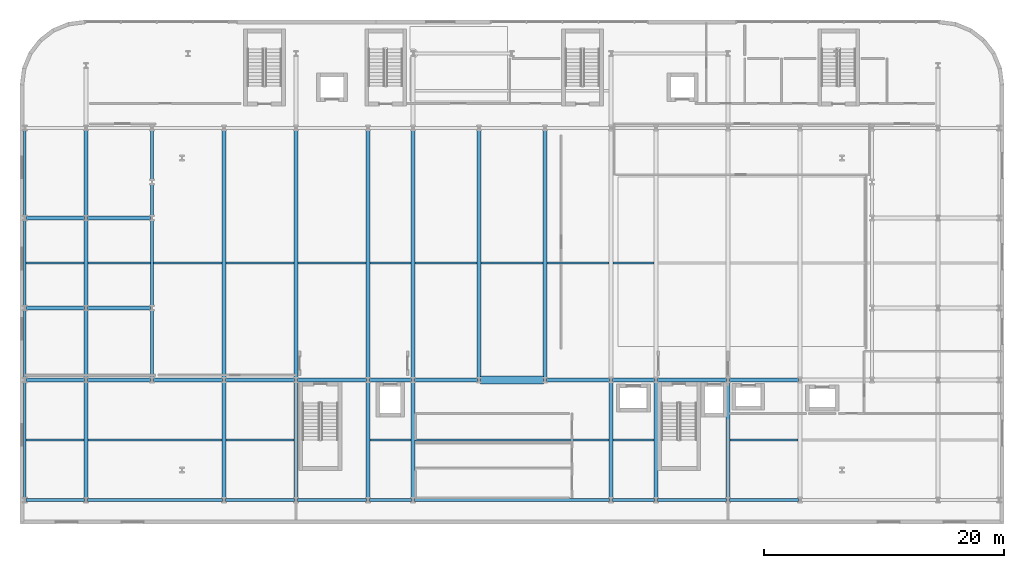
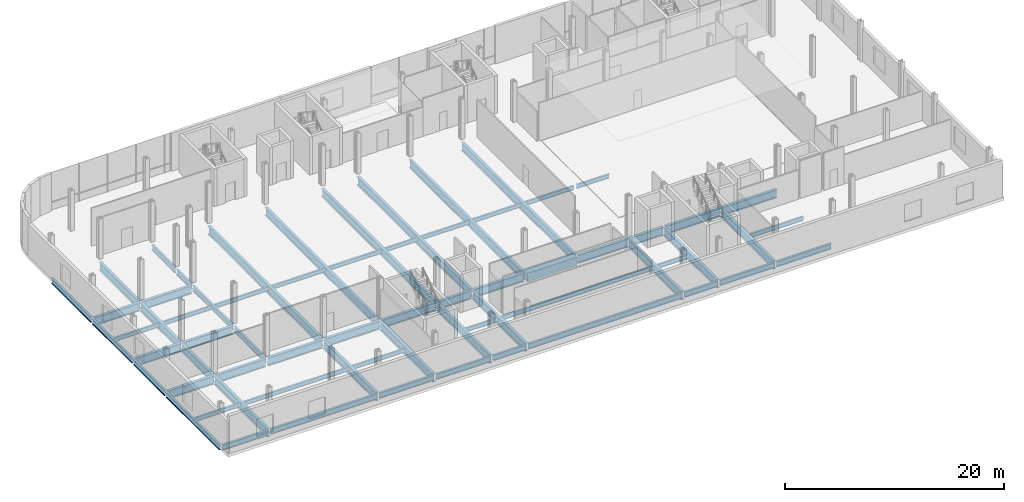
# One storey, part 3 of 25: 67 beams.
"""IFC4 building model written with IfcOpenShell, lengths in metres."""

from ifc_helpers import new_model, si_unit, direction, frame, origin, origin_2d, place, context, subcontext, project, spatial, rectangle, i_section, extrude, material, material_profile, profile_set, type_object, element, save


model = new_model("IFC4")

# Units and contexts
model_context = context("Model", 3, precision=1e-05, world=origin(), true_north=direction((0.0, 1.0)))
body_context = subcontext(model_context, "Body", "Model", "MODEL_VIEW")
ifc_project = project(units=[si_unit("LENGTHUNIT", "METRE"), si_unit("AREAUNIT", "SQUARE_METRE"), si_unit("VOLUMEUNIT", "CUBIC_METRE"), si_unit("PLANEANGLEUNIT", "RADIAN"), si_unit("MASSUNIT", "GRAM", prefix="KILO")], contexts=[model_context])

# Site, building, storey
site_placement = place(None, origin())
site = spatial("IfcSite", under=ifc_project, at=site_placement, CompositionType="ELEMENT")
building_placement = place(site_placement, origin())
building = spatial("IfcBuilding", under=site, at=building_placement, Name="Brevholm Reach", CompositionType="ELEMENT")
storey_placement = place(building_placement, frame((0.0, 0.0, 4.5)))
storey = spatial("IfcBuildingStorey", under=building, at=storey_placement, Name="L01", CompositionType="ELEMENT", Elevation=4.5)

# Beams
ifc_material_1 = material(Name="Structural Steel S355J2", Category="steel")
ifc_material_profile_1 = material_profile(ifc_material_1, i_section(OverallWidth=0.1904296875, OverallDepth=0.45703125, WebThickness=0.009033203125, FlangeThickness=0.014404296875, FilletRadius=0.01025390625, at=origin_2d()), Name="UKB 457x191x74")
ifc_profile_set_1 = profile_set([ifc_material_profile_1], Name="Structural Steel S355J2")
beam_type_1 = type_object("IfcBeamType", Name="BM-B457", PredefinedType="BEAM", material=ifc_profile_set_1)
beam_1_placement = place(storey_placement, frame((-10.485595703125, 5.0, -0.548583984375), z_axis=(1.0, 0.0, 0.0), x_axis=(0.0, 1.0, 0.0)))
element("IfcBeam", 1, at=beam_1_placement, inside=storey, type_object=beam_type_1, Name="L01 Composite Secondary Floor Beam", PredefinedType="BEAM", context=body_context, shape_type="SweptSolid", body=[
    extrude(i_section(OverallWidth=0.1904296875, OverallDepth=0.45703125, WebThickness=0.009033203125, FlangeThickness=0.014404296875, FilletRadius=0.01025390625, at=origin_2d()), origin(), (0.0, 0.0, 1.0), 4.831787109375),
])
beam_2_placement = place(storey_placement, frame((-5.34619140625, 5.0, -0.548583984375), z_axis=(1.0, 0.0, 0.0), x_axis=(0.0, 1.0, 0.0)))
element("IfcBeam", 2, at=beam_2_placement, inside=storey, type_object=beam_type_1, Name="L01 Composite Secondary Floor Beam", PredefinedType="BEAM", context=body_context, shape_type="SweptSolid", body=[
    extrude(i_section(OverallWidth=0.1904296875, OverallDepth=0.45703125, WebThickness=0.009033203125, FlangeThickness=0.014404296875, FilletRadius=0.01025390625, at=origin_2d()), origin(), (0.0, 0.0, 1.0), 11.1923828125),
])
beam_3_placement = place(storey_placement, frame((6.15380859375, 5.0, -0.548583984375), z_axis=(1.0, 0.0, 0.0), x_axis=(0.0, 1.0, 0.0)))
element("IfcBeam", 3, at=beam_3_placement, inside=storey, type_object=beam_type_1, Name="L01 Composite Secondary Floor Beam", PredefinedType="BEAM", context=body_context, shape_type="SweptSolid", body=[
    extrude(i_section(OverallWidth=0.1904296875, OverallDepth=0.45703125, WebThickness=0.009033203125, FlangeThickness=0.014404296875, FilletRadius=0.01025390625, at=origin_2d()), origin(), (0.0, 0.0, 1.0), 5.6923828125),
])
beam_4_placement = place(storey_placement, frame((18.15380859375, 5.0, -0.548583984375), z_axis=(1.0, 0.0, 0.0), x_axis=(0.0, 1.0, 0.0)))
element("IfcBeam", 4, at=beam_4_placement, inside=storey, type_object=beam_type_1, Name="L01 Composite Secondary Floor Beam", PredefinedType="BEAM", context=body_context, shape_type="SweptSolid", body=[
    extrude(i_section(OverallWidth=0.1904296875, OverallDepth=0.45703125, WebThickness=0.009033203125, FlangeThickness=0.014404296875, FilletRadius=0.01025390625, at=origin_2d()), origin(), (0.0, 0.0, 1.0), 3.4423828125),
])
beam_5_placement = place(storey_placement, frame((21.90380859375, 5.0, -0.548583984375), z_axis=(1.0, 0.0, 0.0), x_axis=(0.0, 1.0, 0.0)))
element("IfcBeam", 5, at=beam_5_placement, inside=storey, type_object=beam_type_1, Name="L01 Composite Secondary Floor Beam", PredefinedType="BEAM", context=body_context, shape_type="SweptSolid", body=[
    extrude(i_section(OverallWidth=0.1904296875, OverallDepth=0.45703125, WebThickness=0.009033203125, FlangeThickness=0.014404296875, FilletRadius=0.01025390625, at=origin_2d()), origin(), (0.0, 0.0, 1.0), 16.1923828125),
])
beam_6_placement = place(storey_placement, frame((38.40380859375, 5.0, -0.548583984375), z_axis=(1.0, 0.0, 0.0), x_axis=(0.0, 1.0, 0.0)))
element("IfcBeam", 6, at=beam_6_placement, inside=storey, type_object=beam_type_1, Name="L01 Composite Secondary Floor Beam", PredefinedType="BEAM", context=body_context, shape_type="SweptSolid", body=[
    extrude(i_section(OverallWidth=0.1904296875, OverallDepth=0.45703125, WebThickness=0.009033203125, FlangeThickness=0.014404296875, FilletRadius=0.01025390625, at=origin_2d()), origin(), (0.0, 0.0, 1.0), 3.4423828125),
])
beam_7_placement = place(storey_placement, frame((48.15380859375, 5.0, -0.548583984375), z_axis=(1.0, 0.0, 0.0), x_axis=(0.0, 1.0, 0.0)))
element("IfcBeam", 7, at=beam_7_placement, inside=storey, type_object=beam_type_1, Name="L01 Composite Secondary Floor Beam", PredefinedType="BEAM", context=body_context, shape_type="SweptSolid", body=[
    extrude(i_section(OverallWidth=0.1904296875, OverallDepth=0.45703125, WebThickness=0.009033203125, FlangeThickness=0.014404296875, FilletRadius=0.01025390625, at=origin_2d()), origin(), (0.0, 0.0, 1.0), 5.6923828125),
])
beam_8_placement = place(storey_placement, frame((-10.485595703125, 19.75, -0.548583984375), z_axis=(1.0, 0.0, 0.0), x_axis=(0.0, 1.0, 0.0)))
element("IfcBeam", 8, at=beam_8_placement, inside=storey, type_object=beam_type_1, Name="L01 Composite Secondary Floor Beam", PredefinedType="BEAM", context=body_context, shape_type="SweptSolid", body=[
    extrude(i_section(OverallWidth=0.1904296875, OverallDepth=0.45703125, WebThickness=0.009033203125, FlangeThickness=0.014404296875, FilletRadius=0.01025390625, at=origin_2d()), origin(), (0.0, 0.0, 1.0), 4.831787109375),
])
beam_9_placement = place(storey_placement, frame((-5.34619140625, 19.75, -0.548583984375), z_axis=(1.0, 0.0, 0.0), x_axis=(0.0, 1.0, 0.0)))
element("IfcBeam", 9, at=beam_9_placement, inside=storey, type_object=beam_type_1, Name="L01 Composite Secondary Floor Beam", PredefinedType="BEAM", context=body_context, shape_type="SweptSolid", body=[
    extrude(i_section(OverallWidth=0.1904296875, OverallDepth=0.45703125, WebThickness=0.009033203125, FlangeThickness=0.014404296875, FilletRadius=0.01025390625, at=origin_2d()), origin(), (0.0, 0.0, 1.0), 5.231689453125),
])
beam_10_placement = place(storey_placement, frame((0.114501953125, 19.75, -0.548583984375), z_axis=(1.0, 0.0, 0.0), x_axis=(0.0, 1.0, 0.0)))
element("IfcBeam", 10, at=beam_10_placement, inside=storey, type_object=beam_type_1, Name="L01 Composite Secondary Floor Beam", PredefinedType="BEAM", context=body_context, shape_type="SweptSolid", body=[
    extrude(i_section(OverallWidth=0.1904296875, OverallDepth=0.45703125, WebThickness=0.009033203125, FlangeThickness=0.014404296875, FilletRadius=0.01025390625, at=origin_2d()), origin(), (0.0, 0.0, 1.0), 5.731689453125),
])
for number, where, z_axis, x_axis, name in (
    (11, (6.15380859375, 19.75, -0.548583984375), (1.0, 0.0, 0.0), (0.0, 1.0, 0.0), "L01 Composite Secondary Floor Beam"),
    (12, (12.15380859375, 19.75, -0.548583984375), (1.0, 0.0, 0.0), (0.0, 1.0, 0.0), "L01 Composite Secondary Floor Beam"),
):
    element("IfcBeam", number, at=place(storey_placement, frame(where, z_axis=z_axis, x_axis=x_axis)), inside=storey, type_object=beam_type_1, Name=name, PredefinedType="BEAM", context=body_context, shape_type="SweptSolid", body=[
        extrude(i_section(OverallWidth=0.1904296875, OverallDepth=0.45703125, WebThickness=0.009033203125, FlangeThickness=0.014404296875, FilletRadius=0.01025390625, at=origin_2d()), origin(), (0.0, 0.0, 1.0), 5.6923828125),
    ])
beam_11_placement = place(storey_placement, frame((18.15380859375, 19.75, -0.548583984375), z_axis=(1.0, 0.0, 0.0), x_axis=(0.0, 1.0, 0.0)))
element("IfcBeam", 13, at=beam_11_placement, inside=storey, type_object=beam_type_1, Name="L01 Composite Secondary Floor Beam", PredefinedType="BEAM", context=body_context, shape_type="SweptSolid", body=[
    extrude(i_section(OverallWidth=0.1904296875, OverallDepth=0.45703125, WebThickness=0.009033203125, FlangeThickness=0.014404296875, FilletRadius=0.01025390625, at=origin_2d()), origin(), (0.0, 0.0, 1.0), 3.4423828125),
])
for number, where, z_axis, x_axis, name in (
    (14, (21.90380859375, 19.75, -0.548583984375), (1.0, 0.0, 0.0), (0.0, 1.0, 0.0), "L01 Composite Secondary Floor Beam"),
    (15, (27.40380859375, 19.75, -0.548583984375), (1.0, 0.0, 0.0), (0.0, 1.0, 0.0), "L01 Composite Secondary Floor Beam"),
    (16, (32.90380859375, 19.75, -0.548583984375), (1.0, 0.0, 0.0), (0.0, 1.0, 0.0), "L01 Composite Secondary Floor Beam"),
):
    element("IfcBeam", number, at=place(storey_placement, frame(where, z_axis=z_axis, x_axis=x_axis)), inside=storey, type_object=beam_type_1, Name=name, PredefinedType="BEAM", context=body_context, shape_type="SweptSolid", body=[
        extrude(i_section(OverallWidth=0.1904296875, OverallDepth=0.45703125, WebThickness=0.009033203125, FlangeThickness=0.014404296875, FilletRadius=0.01025390625, at=origin_2d()), origin(), (0.0, 0.0, 1.0), 5.1923828125),
    ])
beam_12_placement = place(storey_placement, frame((38.40380859375, 19.75, -0.548583984375), z_axis=(1.0, 0.0, 0.0), x_axis=(0.0, 1.0, 0.0)))
element("IfcBeam", 17, at=beam_12_placement, inside=storey, type_object=beam_type_1, Name="L01 Composite Secondary Floor Beam", PredefinedType="BEAM", context=body_context, shape_type="SweptSolid", body=[
    extrude(i_section(OverallWidth=0.1904296875, OverallDepth=0.45703125, WebThickness=0.009033203125, FlangeThickness=0.014404296875, FilletRadius=0.01025390625, at=origin_2d()), origin(), (0.0, 0.0, 1.0), 3.4423828125),
])
ifc_material_2 = material(Name="Concrete C60/75", Category="concrete")
ifc_material_profile_2 = material_profile(ifc_material_2, rectangle(XDim=0.64990234375, YDim=0.949951171875, at=origin_2d()), Name="RC 650x950")
ifc_profile_set_2 = profile_set([ifc_material_profile_2], Name="Concrete C60/75")
beam_type_2 = type_object("IfcBeamType", Name="BM-CB650", PredefinedType="LINTEL", material=ifc_profile_set_2)
beam_13_placement = place(storey_placement, frame((27.3701171875, 10.0, -0.794921875), z_axis=(1.0, 0.0, 0.0), x_axis=(0.0, 1.0, 0.0)))
element("IfcBeam", 18, at=beam_13_placement, inside=storey, type_object=beam_type_2, Name="L01 CB-01 Framing Beam", PredefinedType="LINTEL", context=body_context, shape_type="SweptSolid", body=[
    extrude(rectangle(XDim=0.64990234375, YDim=0.949951171875, at=origin_2d()), origin(), (0.0, 0.0, 1.0), 5.259765625),
])
ifc_material_3 = material(Name="Structural Steel S355J2", Category="steel")
ifc_material_profile_3 = material_profile(ifc_material_3, i_section(OverallWidth=0.22900390625, OverallDepth=0.6123046875, WebThickness=0.011962890625, FlangeThickness=0.01953125, FilletRadius=0.0126953125, at=origin_2d()), Name="UKB 610x229x125")
ifc_profile_set_3 = profile_set([ifc_material_profile_3], Name="Structural Steel S355J2")
beam_type_3 = type_object("IfcBeamType", Name="BM-SP610", PredefinedType="SPANDREL", material=ifc_profile_set_3)
beam_14_placement = place(storey_placement, frame((-10.47998046875, 0.0, -0.626220703125), z_axis=(1.0, 0.0, 0.0), x_axis=(0.0, 1.0, 0.0)))
element("IfcBeam", 19, at=beam_14_placement, inside=storey, type_object=beam_type_3, Name="L01 SP-01 Framing Beam", PredefinedType="SPANDREL", context=body_context, shape_type="SweptSolid", body=[
    extrude(i_section(OverallWidth=0.22900390625, OverallDepth=0.6123046875, WebThickness=0.011962890625, FlangeThickness=0.01953125, FilletRadius=0.0126953125, at=origin_2d()), origin(), (0.0, 0.0, 1.0), 4.85986328125),
])
beam_15_placement = place(storey_placement, frame((-5.3798828125, 0.0, -0.626220703125), z_axis=(1.0, 0.0, 0.0), x_axis=(0.0, 1.0, 0.0)))
element("IfcBeam", 20, at=beam_15_placement, inside=storey, type_object=beam_type_3, Name="L01 SP-01 Framing Beam", PredefinedType="SPANDREL", context=body_context, shape_type="SweptSolid", body=[
    extrude(i_section(OverallWidth=0.22900390625, OverallDepth=0.6123046875, WebThickness=0.011962890625, FlangeThickness=0.01953125, FilletRadius=0.0126953125, at=origin_2d()), origin(), (0.0, 0.0, 1.0), 11.259765625),
])
for number, where, z_axis, x_axis, name in (
    (21, (6.1201171875, 0.0, -0.626220703125), (1.0, 0.0, 0.0), (0.0, 1.0, 0.0), "L01 SP-01 Framing Beam"),
    (22, (12.1201171875, 0.0, -0.626220703125), (1.0, 0.0, 0.0), (0.0, 1.0, 0.0), "L01 SP-01 Framing Beam"),
):
    element("IfcBeam", number, at=place(storey_placement, frame(where, z_axis=z_axis, x_axis=x_axis)), inside=storey, type_object=beam_type_3, Name=name, PredefinedType="SPANDREL", context=body_context, shape_type="SweptSolid", body=[
        extrude(i_section(OverallWidth=0.22900390625, OverallDepth=0.6123046875, WebThickness=0.011962890625, FlangeThickness=0.01953125, FilletRadius=0.0126953125, at=origin_2d()), origin(), (0.0, 0.0, 1.0), 5.759765625),
    ])
beam_16_placement = place(storey_placement, frame((18.1201171875, 0.0, -0.626220703125), z_axis=(1.0, 0.0, 0.0), x_axis=(0.0, 1.0, 0.0)))
element("IfcBeam", 23, at=beam_16_placement, inside=storey, type_object=beam_type_3, Name="L01 SP-01 Framing Beam", PredefinedType="SPANDREL", context=body_context, shape_type="SweptSolid", body=[
    extrude(i_section(OverallWidth=0.22900390625, OverallDepth=0.6123046875, WebThickness=0.011962890625, FlangeThickness=0.01953125, FilletRadius=0.0126953125, at=origin_2d()), origin(), (0.0, 0.0, 1.0), 3.509765625),
])
beam_17_placement = place(storey_placement, frame((21.8701171875, 0.0, -0.626220703125), z_axis=(1.0, 0.0, 0.0), x_axis=(0.0, 1.0, 0.0)))
element("IfcBeam", 24, at=beam_17_placement, inside=storey, type_object=beam_type_3, Name="L01 SP-01 Framing Beam", PredefinedType="SPANDREL", context=body_context, shape_type="SweptSolid", body=[
    extrude(i_section(OverallWidth=0.22900390625, OverallDepth=0.6123046875, WebThickness=0.011962890625, FlangeThickness=0.01953125, FilletRadius=0.0126953125, at=origin_2d()), origin(), (0.0, 0.0, 1.0), 16.259765625),
])
beam_18_placement = place(storey_placement, frame((38.3701171875, 0.0, -0.626220703125), z_axis=(1.0, 0.0, 0.0), x_axis=(0.0, 1.0, 0.0)))
element("IfcBeam", 25, at=beam_18_placement, inside=storey, type_object=beam_type_3, Name="L01 SP-01 Framing Beam", PredefinedType="SPANDREL", context=body_context, shape_type="SweptSolid", body=[
    extrude(i_section(OverallWidth=0.22900390625, OverallDepth=0.6123046875, WebThickness=0.011962890625, FlangeThickness=0.01953125, FilletRadius=0.0126953125, at=origin_2d()), origin(), (0.0, 0.0, 1.0), 3.509765625),
])
for number, where, z_axis, x_axis, name in (
    (26, (42.1201171875, 0.0, -0.626220703125), (1.0, 0.0, 0.0), (0.0, 1.0, 0.0), "L01 SP-01 Framing Beam"),
    (27, (48.1201171875, 0.0, -0.626220703125), (1.0, 0.0, 0.0), (0.0, 1.0, 0.0), "L01 SP-01 Framing Beam"),
):
    element("IfcBeam", number, at=place(storey_placement, frame(where, z_axis=z_axis, x_axis=x_axis)), inside=storey, type_object=beam_type_3, Name=name, PredefinedType="SPANDREL", context=body_context, shape_type="SweptSolid", body=[
        extrude(i_section(OverallWidth=0.22900390625, OverallDepth=0.6123046875, WebThickness=0.011962890625, FlangeThickness=0.01953125, FilletRadius=0.0126953125, at=origin_2d()), origin(), (0.0, 0.0, 1.0), 5.759765625),
    ])
beam_19_placement = place(storey_placement, frame((-10.60009765625, 0.1201171875, -0.626220703125), z_axis=(0.0, 1.0, 0.0), x_axis=(-1.0, 0.0, 0.0)))
element("IfcBeam", 28, at=beam_19_placement, inside=storey, type_object=beam_type_3, Name="L01 SP-01 Framing Beam", PredefinedType="SPANDREL", context=body_context, shape_type="SweptSolid", body=[
    extrude(i_section(OverallWidth=0.22900390625, OverallDepth=0.6123046875, WebThickness=0.011962890625, FlangeThickness=0.01953125, FilletRadius=0.0126953125, at=origin_2d()), origin(), (0.0, 0.0, 1.0), 9.759765625),
])
beam_20_placement = place(storey_placement, frame((-10.60009765625, 10.1201171875, -0.626220703125), z_axis=(0.0, 1.0, 0.0), x_axis=(-1.0, 0.0, 0.0)))
element("IfcBeam", 29, at=beam_20_placement, inside=storey, type_object=beam_type_3, Name="L01 SP-01 Framing Beam", PredefinedType="SPANDREL", context=body_context, shape_type="SweptSolid", body=[
    extrude(i_section(OverallWidth=0.22900390625, OverallDepth=0.6123046875, WebThickness=0.011962890625, FlangeThickness=0.01953125, FilletRadius=0.0126953125, at=origin_2d()), origin(), (0.0, 0.0, 1.0), 5.759765625),
])
for number, where, z_axis, x_axis, name in (
    (30, (-10.60009765625, 16.1201171875, -0.626220703125), (0.0, 1.0, 0.0), (-1.0, 0.0, 0.0), "L01 SP-01 Framing Beam"),
    (31, (-10.60009765625, 23.6201171875, -0.626220703125), (0.0, 1.0, 0.0), (-1.0, 0.0, 0.0), "L01 SP-01 Framing Beam"),
):
    element("IfcBeam", number, at=place(storey_placement, frame(where, z_axis=z_axis, x_axis=x_axis)), inside=storey, type_object=beam_type_3, Name=name, PredefinedType="SPANDREL", context=body_context, shape_type="SweptSolid", body=[
        extrude(i_section(OverallWidth=0.22900390625, OverallDepth=0.6123046875, WebThickness=0.011962890625, FlangeThickness=0.01953125, FilletRadius=0.0126953125, at=origin_2d()), origin(), (0.0, 0.0, 1.0), 7.259765625),
    ])
beam_21_placement = place(storey_placement, frame((0.0, 10.1201171875, -0.626220703125), z_axis=(0.0, 1.0, 0.0), x_axis=(-1.0, 0.0, 0.0)))
element("IfcBeam", 32, at=beam_21_placement, inside=storey, type_object=beam_type_3, Name="L01 SP-01 Framing Beam", PredefinedType="SPANDREL", context=body_context, shape_type="SweptSolid", body=[
    extrude(i_section(OverallWidth=0.22900390625, OverallDepth=0.6123046875, WebThickness=0.011962890625, FlangeThickness=0.01953125, FilletRadius=0.0126953125, at=origin_2d()), origin(), (0.0, 0.0, 1.0), 5.759765625),
])
beam_22_placement = place(storey_placement, frame((0.0, 16.1201171875, -0.626220703125), z_axis=(0.0, 1.0, 0.0), x_axis=(-1.0, 0.0, 0.0)))
element("IfcBeam", 33, at=beam_22_placement, inside=storey, type_object=beam_type_3, Name="L01 SP-01 Framing Beam", PredefinedType="SPANDREL", context=body_context, shape_type="SweptSolid", body=[
    extrude(i_section(OverallWidth=0.22900390625, OverallDepth=0.6123046875, WebThickness=0.011962890625, FlangeThickness=0.01953125, FilletRadius=0.0126953125, at=origin_2d()), origin(), (0.0, 0.0, 1.0), 7.259765625),
])
beam_23_placement = place(storey_placement, frame((0.0, 23.6201171875, -0.626220703125), z_axis=(0.0, 1.0, 0.0), x_axis=(-1.0, 0.0, 0.0)))
element("IfcBeam", 34, at=beam_23_placement, inside=storey, type_object=beam_type_3, Name="L01 SP-01 Framing Beam", PredefinedType="SPANDREL", context=body_context, shape_type="SweptSolid", body=[
    extrude(i_section(OverallWidth=0.22900390625, OverallDepth=0.6123046875, WebThickness=0.011962890625, FlangeThickness=0.01953125, FilletRadius=0.0126953125, at=origin_2d()), origin(), (0.0, 0.0, 1.0), 2.759765625),
])
beam_24_placement = place(storey_placement, frame((0.0, 26.6201171875, -0.626220703125), z_axis=(0.0, 1.0, 0.0), x_axis=(-1.0, 0.0, 0.0)))
element("IfcBeam", 35, at=beam_24_placement, inside=storey, type_object=beam_type_3, Name="L01 SP-01 Framing Beam", PredefinedType="SPANDREL", context=body_context, shape_type="SweptSolid", body=[
    extrude(i_section(OverallWidth=0.22900390625, OverallDepth=0.6123046875, WebThickness=0.011962890625, FlangeThickness=0.01953125, FilletRadius=0.0126953125, at=origin_2d()), origin(), (0.0, 0.0, 1.0), 4.259765625),
])
ifc_material_4 = material(Name="Structural Steel S460ML", Category="steel")
ifc_material_profile_4 = material_profile(ifc_material_4, i_section(OverallWidth=0.3076171875, OverallDepth=0.926513671875, WebThickness=0.01953125, FlangeThickness=0.031982421875, FilletRadius=0.01904296875, at=origin_2d()), Name="UKB 914x305x289")
ifc_profile_set_4 = profile_set([ifc_material_profile_4], Name="Structural Steel S460ML")
beam_type_4 = type_object("IfcBeamType", Name="BM-UKB914B", PredefinedType="USERDEFINED", material=ifc_profile_set_4)
beam_25_placement = place(storey_placement, frame((-10.47998046875, 10.0, -0.783203125), z_axis=(1.0, 0.0, 0.0), x_axis=(0.0, 1.0, 0.0)))
element("IfcBeam", 36, at=beam_25_placement, inside=storey, type_object=beam_type_4, Name="L01 G-02B Framing Beam", ObjectType="GIRDER", PredefinedType="USERDEFINED", context=body_context, shape_type="SweptSolid", body=[
    extrude(i_section(OverallWidth=0.3076171875, OverallDepth=0.926513671875, WebThickness=0.01953125, FlangeThickness=0.031982421875, FilletRadius=0.01904296875, at=origin_2d()), origin(), (0.0, 0.0, 1.0), 4.85986328125),
])
beam_26_placement = place(storey_placement, frame((-5.3798828125, 10.0, -0.783203125), z_axis=(1.0, 0.0, 0.0), x_axis=(0.0, 1.0, 0.0)))
element("IfcBeam", 37, at=beam_26_placement, inside=storey, type_object=beam_type_4, Name="L01 G-02B Framing Beam", ObjectType="GIRDER", PredefinedType="USERDEFINED", context=body_context, shape_type="SweptSolid", body=[
    extrude(i_section(OverallWidth=0.3076171875, OverallDepth=0.926513671875, WebThickness=0.01953125, FlangeThickness=0.031982421875, FilletRadius=0.01904296875, at=origin_2d()), origin(), (0.0, 0.0, 1.0), 5.259765625),
])
for number, where, z_axis, x_axis, name in (
    (38, (0.1201171875, 10.0, -0.783203125), (1.0, 0.0, 0.0), (0.0, 1.0, 0.0), "L01 G-02B Framing Beam"),
    (39, (6.1201171875, 10.0, -0.783203125), (1.0, 0.0, 0.0), (0.0, 1.0, 0.0), "L01 G-02B Framing Beam"),
    (40, (12.1201171875, 10.0, -0.783203125), (1.0, 0.0, 0.0), (0.0, 1.0, 0.0), "L01 G-02B Framing Beam"),
):
    element("IfcBeam", number, at=place(storey_placement, frame(where, z_axis=z_axis, x_axis=x_axis)), inside=storey, type_object=beam_type_4, Name=name, ObjectType="GIRDER", PredefinedType="USERDEFINED", context=body_context, shape_type="SweptSolid", body=[
        extrude(i_section(OverallWidth=0.3076171875, OverallDepth=0.926513671875, WebThickness=0.01953125, FlangeThickness=0.031982421875, FilletRadius=0.01904296875, at=origin_2d()), origin(), (0.0, 0.0, 1.0), 5.759765625),
    ])
beam_27_placement = place(storey_placement, frame((18.1201171875, 10.0, -0.783203125), z_axis=(1.0, 0.0, 0.0), x_axis=(0.0, 1.0, 0.0)))
element("IfcBeam", 41, at=beam_27_placement, inside=storey, type_object=beam_type_4, Name="L01 G-02B Framing Beam", ObjectType="GIRDER", PredefinedType="USERDEFINED", context=body_context, shape_type="SweptSolid", body=[
    extrude(i_section(OverallWidth=0.3076171875, OverallDepth=0.926513671875, WebThickness=0.01953125, FlangeThickness=0.031982421875, FilletRadius=0.01904296875, at=origin_2d()), origin(), (0.0, 0.0, 1.0), 3.509765625),
])
for number, where, z_axis, x_axis, name in (
    (42, (21.8701171875, 10.0, -0.783203125), (1.0, 0.0, 0.0), (0.0, 1.0, 0.0), "L01 G-02B Framing Beam"),
    (43, (32.8701171875, 10.0, -0.783203125), (1.0, 0.0, 0.0), (0.0, 1.0, 0.0), "L01 G-02B Framing Beam"),
):
    element("IfcBeam", number, at=place(storey_placement, frame(where, z_axis=z_axis, x_axis=x_axis)), inside=storey, type_object=beam_type_4, Name=name, ObjectType="GIRDER", PredefinedType="USERDEFINED", context=body_context, shape_type="SweptSolid", body=[
        extrude(i_section(OverallWidth=0.3076171875, OverallDepth=0.926513671875, WebThickness=0.01953125, FlangeThickness=0.031982421875, FilletRadius=0.01904296875, at=origin_2d()), origin(), (0.0, 0.0, 1.0), 5.259765625),
    ])
beam_28_placement = place(storey_placement, frame((38.3701171875, 10.0, -0.783203125), z_axis=(1.0, 0.0, 0.0), x_axis=(0.0, 1.0, 0.0)))
element("IfcBeam", 44, at=beam_28_placement, inside=storey, type_object=beam_type_4, Name="L01 G-02B Framing Beam", ObjectType="GIRDER", PredefinedType="USERDEFINED", context=body_context, shape_type="SweptSolid", body=[
    extrude(i_section(OverallWidth=0.3076171875, OverallDepth=0.926513671875, WebThickness=0.01953125, FlangeThickness=0.031982421875, FilletRadius=0.01904296875, at=origin_2d()), origin(), (0.0, 0.0, 1.0), 3.509765625),
])
for number, where, z_axis, x_axis, name in (
    (45, (42.1201171875, 10.0, -0.783203125), (1.0, 0.0, 0.0), (0.0, 1.0, 0.0), "L01 G-02B Framing Beam"),
    (46, (48.1201171875, 10.0, -0.783203125), (1.0, 0.0, 0.0), (0.0, 1.0, 0.0), "L01 G-02B Framing Beam"),
):
    element("IfcBeam", number, at=place(storey_placement, frame(where, z_axis=z_axis, x_axis=x_axis)), inside=storey, type_object=beam_type_4, Name=name, ObjectType="GIRDER", PredefinedType="USERDEFINED", context=body_context, shape_type="SweptSolid", body=[
        extrude(i_section(OverallWidth=0.3076171875, OverallDepth=0.926513671875, WebThickness=0.01953125, FlangeThickness=0.031982421875, FilletRadius=0.01904296875, at=origin_2d()), origin(), (0.0, 0.0, 1.0), 5.759765625),
    ])
beam_29_placement = place(storey_placement, frame((-10.47998046875, 16.0, -0.783203125), z_axis=(1.0, 0.0, 0.0), x_axis=(0.0, 1.0, 0.0)))
element("IfcBeam", 47, at=beam_29_placement, inside=storey, type_object=beam_type_4, Name="L01 G-02B Framing Beam", ObjectType="GIRDER", PredefinedType="USERDEFINED", context=body_context, shape_type="SweptSolid", body=[
    extrude(i_section(OverallWidth=0.3076171875, OverallDepth=0.926513671875, WebThickness=0.01953125, FlangeThickness=0.031982421875, FilletRadius=0.01904296875, at=origin_2d()), origin(), (0.0, 0.0, 1.0), 4.85986328125),
])
beam_30_placement = place(storey_placement, frame((-5.3798828125, 16.0, -0.783203125), z_axis=(1.0, 0.0, 0.0), x_axis=(0.0, 1.0, 0.0)))
element("IfcBeam", 48, at=beam_30_placement, inside=storey, type_object=beam_type_4, Name="L01 G-02B Framing Beam", ObjectType="GIRDER", PredefinedType="USERDEFINED", context=body_context, shape_type="SweptSolid", body=[
    extrude(i_section(OverallWidth=0.3076171875, OverallDepth=0.926513671875, WebThickness=0.01953125, FlangeThickness=0.031982421875, FilletRadius=0.01904296875, at=origin_2d()), origin(), (0.0, 0.0, 1.0), 5.259765625),
])
beam_31_placement = place(storey_placement, frame((-10.47998046875, 23.5, -0.783203125), z_axis=(1.0, 0.0, 0.0), x_axis=(0.0, 1.0, 0.0)))
element("IfcBeam", 49, at=beam_31_placement, inside=storey, type_object=beam_type_4, Name="L01 G-02B Framing Beam", ObjectType="GIRDER", PredefinedType="USERDEFINED", context=body_context, shape_type="SweptSolid", body=[
    extrude(i_section(OverallWidth=0.3076171875, OverallDepth=0.926513671875, WebThickness=0.01953125, FlangeThickness=0.031982421875, FilletRadius=0.01904296875, at=origin_2d()), origin(), (0.0, 0.0, 1.0), 4.85986328125),
])
beam_32_placement = place(storey_placement, frame((-5.3798828125, 23.5, -0.783203125), z_axis=(1.0, 0.0, 0.0), x_axis=(0.0, 1.0, 0.0)))
element("IfcBeam", 50, at=beam_32_placement, inside=storey, type_object=beam_type_4, Name="L01 G-02B Framing Beam", ObjectType="GIRDER", PredefinedType="USERDEFINED", context=body_context, shape_type="SweptSolid", body=[
    extrude(i_section(OverallWidth=0.3076171875, OverallDepth=0.926513671875, WebThickness=0.01953125, FlangeThickness=0.031982421875, FilletRadius=0.01904296875, at=origin_2d()), origin(), (0.0, 0.0, 1.0), 5.259765625),
])
beam_33_placement = place(storey_placement, frame((-5.5, 0.1201171875, -0.783203125), z_axis=(0.0, 1.0, 0.0), x_axis=(-1.0, 0.0, 0.0)))
element("IfcBeam", 51, at=beam_33_placement, inside=storey, type_object=beam_type_4, Name="L01 G-02B Framing Beam", ObjectType="GIRDER", PredefinedType="USERDEFINED", context=body_context, shape_type="SweptSolid", body=[
    extrude(i_section(OverallWidth=0.3076171875, OverallDepth=0.926513671875, WebThickness=0.01953125, FlangeThickness=0.031982421875, FilletRadius=0.01904296875, at=origin_2d()), origin(), (0.0, 0.0, 1.0), 9.759765625),
])
beam_34_placement = place(storey_placement, frame((-5.5, 10.1201171875, -0.783203125), z_axis=(0.0, 1.0, 0.0), x_axis=(-1.0, 0.0, 0.0)))
element("IfcBeam", 52, at=beam_34_placement, inside=storey, type_object=beam_type_4, Name="L01 G-02B Framing Beam", ObjectType="GIRDER", PredefinedType="USERDEFINED", context=body_context, shape_type="SweptSolid", body=[
    extrude(i_section(OverallWidth=0.3076171875, OverallDepth=0.926513671875, WebThickness=0.01953125, FlangeThickness=0.031982421875, FilletRadius=0.01904296875, at=origin_2d()), origin(), (0.0, 0.0, 1.0), 5.759765625),
])
for number, where, z_axis, x_axis, name in (
    (53, (-5.5, 16.1201171875, -0.783203125), (0.0, 1.0, 0.0), (-1.0, 0.0, 0.0), "L01 G-02B Framing Beam"),
    (54, (-5.5, 23.6201171875, -0.783203125), (0.0, 1.0, 0.0), (-1.0, 0.0, 0.0), "L01 G-02B Framing Beam"),
):
    element("IfcBeam", number, at=place(storey_placement, frame(where, z_axis=z_axis, x_axis=x_axis)), inside=storey, type_object=beam_type_4, Name=name, ObjectType="GIRDER", PredefinedType="USERDEFINED", context=body_context, shape_type="SweptSolid", body=[
        extrude(i_section(OverallWidth=0.3076171875, OverallDepth=0.926513671875, WebThickness=0.01953125, FlangeThickness=0.031982421875, FilletRadius=0.01904296875, at=origin_2d()), origin(), (0.0, 0.0, 1.0), 7.259765625),
    ])
beam_35_placement = place(storey_placement, frame((6.0, 0.1201171875, -0.783203125), z_axis=(0.0, 1.0, 0.0), x_axis=(-1.0, 0.0, 0.0)))
element("IfcBeam", 55, at=beam_35_placement, inside=storey, type_object=beam_type_4, Name="L01 G-02B Framing Beam", ObjectType="GIRDER", PredefinedType="USERDEFINED", context=body_context, shape_type="SweptSolid", body=[
    extrude(i_section(OverallWidth=0.3076171875, OverallDepth=0.926513671875, WebThickness=0.01953125, FlangeThickness=0.031982421875, FilletRadius=0.01904296875, at=origin_2d()), origin(), (0.0, 0.0, 1.0), 9.759765625),
])
beam_36_placement = place(storey_placement, frame((6.0, 10.1201171875, -0.783203125), z_axis=(0.0, 1.0, 0.0), x_axis=(-1.0, 0.0, 0.0)))
element("IfcBeam", 56, at=beam_36_placement, inside=storey, type_object=beam_type_4, Name="L01 G-02B Framing Beam", ObjectType="GIRDER", PredefinedType="USERDEFINED", context=body_context, shape_type="SweptSolid", body=[
    extrude(i_section(OverallWidth=0.3076171875, OverallDepth=0.926513671875, WebThickness=0.01953125, FlangeThickness=0.031982421875, FilletRadius=0.01904296875, at=origin_2d()), origin(), (0.0, 0.0, 1.0), 20.759765625),
])
beam_37_placement = place(storey_placement, frame((12.0, 0.1201171875, -0.783203125), z_axis=(0.0, 1.0, 0.0), x_axis=(-1.0, 0.0, 0.0)))
element("IfcBeam", 57, at=beam_37_placement, inside=storey, type_object=beam_type_4, Name="L01 G-02B Framing Beam", ObjectType="GIRDER", PredefinedType="USERDEFINED", context=body_context, shape_type="SweptSolid", body=[
    extrude(i_section(OverallWidth=0.3076171875, OverallDepth=0.926513671875, WebThickness=0.01953125, FlangeThickness=0.031982421875, FilletRadius=0.01904296875, at=origin_2d()), origin(), (0.0, 0.0, 1.0), 9.759765625),
])
beam_38_placement = place(storey_placement, frame((12.0, 10.1201171875, -0.783203125), z_axis=(0.0, 1.0, 0.0), x_axis=(-1.0, 0.0, 0.0)))
element("IfcBeam", 58, at=beam_38_placement, inside=storey, type_object=beam_type_4, Name="L01 G-02B Framing Beam", ObjectType="GIRDER", PredefinedType="USERDEFINED", context=body_context, shape_type="SweptSolid", body=[
    extrude(i_section(OverallWidth=0.3076171875, OverallDepth=0.926513671875, WebThickness=0.01953125, FlangeThickness=0.031982421875, FilletRadius=0.01904296875, at=origin_2d()), origin(), (0.0, 0.0, 1.0), 20.759765625),
])
beam_39_placement = place(storey_placement, frame((18.0, 0.1201171875, -0.783203125), z_axis=(0.0, 1.0, 0.0), x_axis=(-1.0, 0.0, 0.0)))
element("IfcBeam", 59, at=beam_39_placement, inside=storey, type_object=beam_type_4, Name="L01 G-02B Framing Beam", ObjectType="GIRDER", PredefinedType="USERDEFINED", context=body_context, shape_type="SweptSolid", body=[
    extrude(i_section(OverallWidth=0.3076171875, OverallDepth=0.926513671875, WebThickness=0.01953125, FlangeThickness=0.031982421875, FilletRadius=0.01904296875, at=origin_2d()), origin(), (0.0, 0.0, 1.0), 9.759765625),
])
beam_40_placement = place(storey_placement, frame((18.0, 10.1201171875, -0.783203125), z_axis=(0.0, 1.0, 0.0), x_axis=(-1.0, 0.0, 0.0)))
element("IfcBeam", 60, at=beam_40_placement, inside=storey, type_object=beam_type_4, Name="L01 G-02B Framing Beam", ObjectType="GIRDER", PredefinedType="USERDEFINED", context=body_context, shape_type="SweptSolid", body=[
    extrude(i_section(OverallWidth=0.3076171875, OverallDepth=0.926513671875, WebThickness=0.01953125, FlangeThickness=0.031982421875, FilletRadius=0.01904296875, at=origin_2d()), origin(), (0.0, 0.0, 1.0), 20.759765625),
])
beam_41_placement = place(storey_placement, frame((21.75, 0.1201171875, -0.783203125), z_axis=(0.0, 1.0, 0.0), x_axis=(-1.0, 0.0, 0.0)))
element("IfcBeam", 61, at=beam_41_placement, inside=storey, type_object=beam_type_4, Name="L01 G-02B Framing Beam", ObjectType="GIRDER", PredefinedType="USERDEFINED", context=body_context, shape_type="SweptSolid", body=[
    extrude(i_section(OverallWidth=0.3076171875, OverallDepth=0.926513671875, WebThickness=0.01953125, FlangeThickness=0.031982421875, FilletRadius=0.01904296875, at=origin_2d()), origin(), (0.0, 0.0, 1.0), 9.759765625),
])
for number, where, z_axis, x_axis, name in (
    (62, (21.75, 10.1201171875, -0.783203125), (0.0, 1.0, 0.0), (-1.0, 0.0, 0.0), "L01 G-02B Framing Beam"),
    (63, (27.25, 10.1201171875, -0.783203125), (0.0, 1.0, 0.0), (-1.0, 0.0, 0.0), "L01 G-02B Framing Beam"),
    (64, (32.75, 10.1201171875, -0.783203125), (0.0, 1.0, 0.0), (-1.0, 0.0, 0.0), "L01 G-02B Framing Beam"),
):
    element("IfcBeam", number, at=place(storey_placement, frame(where, z_axis=z_axis, x_axis=x_axis)), inside=storey, type_object=beam_type_4, Name=name, ObjectType="GIRDER", PredefinedType="USERDEFINED", context=body_context, shape_type="SweptSolid", body=[
        extrude(i_section(OverallWidth=0.3076171875, OverallDepth=0.926513671875, WebThickness=0.01953125, FlangeThickness=0.031982421875, FilletRadius=0.01904296875, at=origin_2d()), origin(), (0.0, 0.0, 1.0), 20.759765625),
    ])
for number, where, z_axis, x_axis, name in (
    (65, (38.25, 0.1201171875, -0.783203125), (0.0, 1.0, 0.0), (-1.0, 0.0, 0.0), "L01 G-02B Framing Beam"),
    (66, (42.0, 0.1201171875, -0.783203125), (0.0, 1.0, 0.0), (-1.0, 0.0, 0.0), "L01 G-02B Framing Beam"),
    (67, (48.0, 0.1201171875, -0.783203125), (0.0, 1.0, 0.0), (-1.0, 0.0, 0.0), "L01 G-02B Framing Beam"),
):
    element("IfcBeam", number, at=place(storey_placement, frame(where, z_axis=z_axis, x_axis=x_axis)), inside=storey, type_object=beam_type_4, Name=name, ObjectType="GIRDER", PredefinedType="USERDEFINED", context=body_context, shape_type="SweptSolid", body=[
        extrude(i_section(OverallWidth=0.3076171875, OverallDepth=0.926513671875, WebThickness=0.01953125, FlangeThickness=0.031982421875, FilletRadius=0.01904296875, at=origin_2d()), origin(), (0.0, 0.0, 1.0), 9.759765625),
    ])

save(model, "model.ifc")
